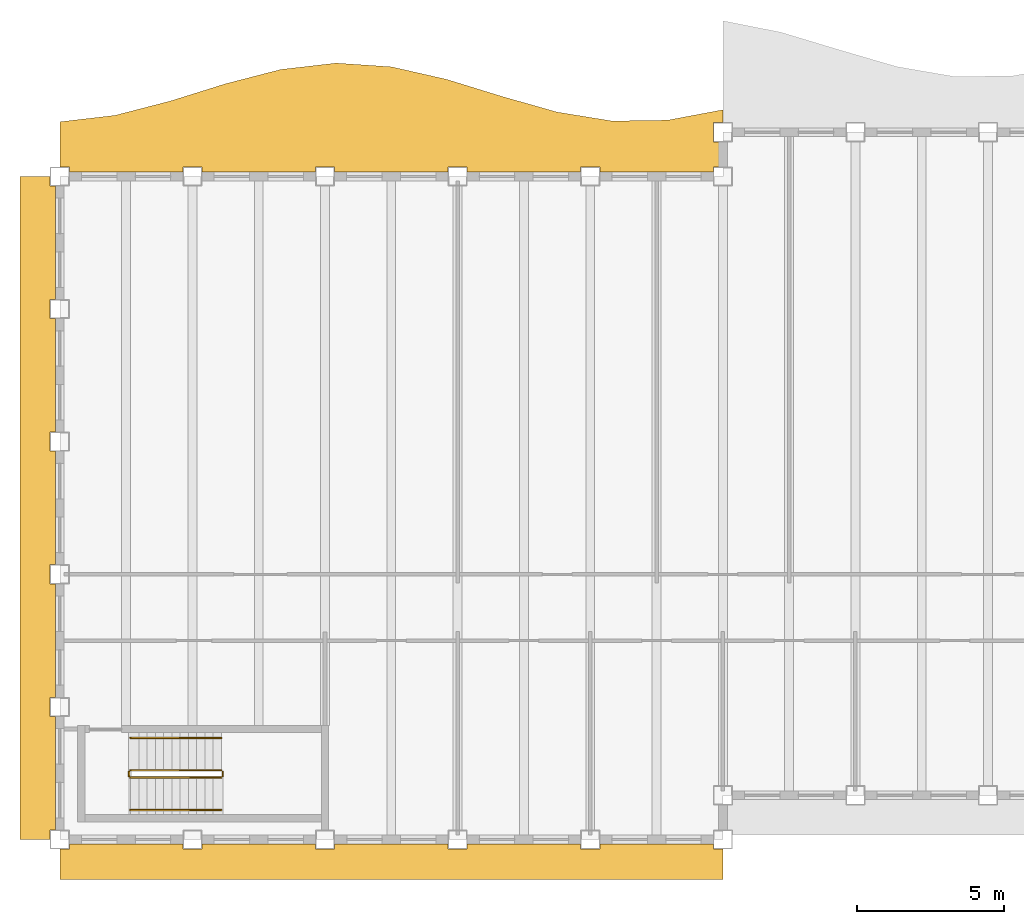
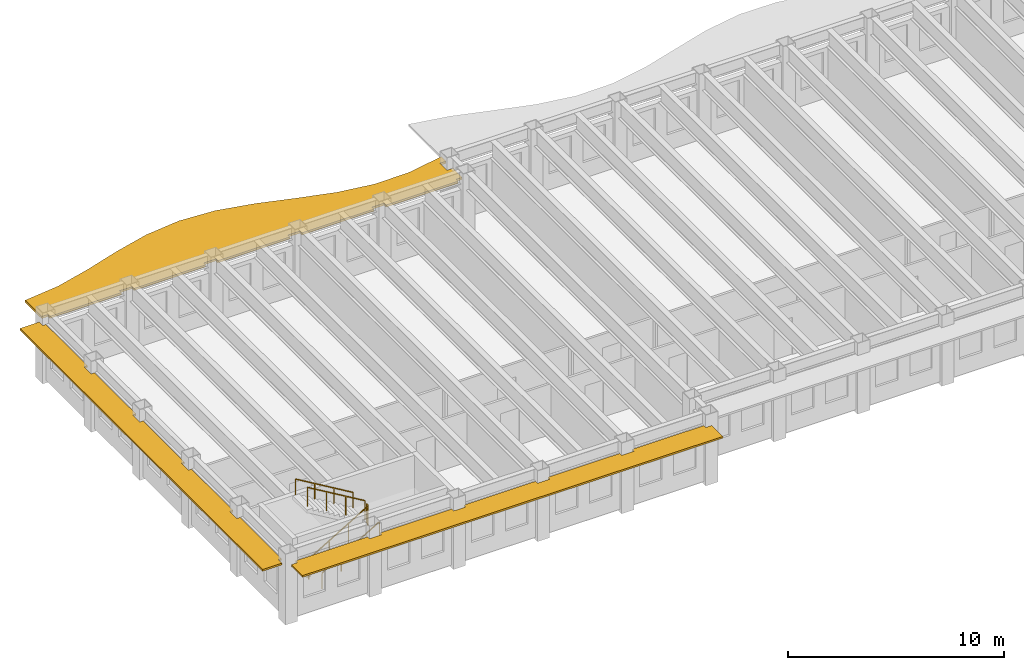
# One storey, part 8 of 12: 6 railings, 3 shading devices.
"""IFC4 building model written with IfcOpenShell, lengths in metres."""

from ifc_helpers import new_model, si_unit, direction, frame, origin, origin_2d, place, context, subcontext, project, spatial, polyline, rectangle, outline, extrude, material, layer, layer_set, type_object, element, save


model = new_model("IFC4")

# Units and contexts
model_context = context("Model", 3, precision=1e-05, world=origin(), true_north=direction((0.0, 1.0)))
body_context = subcontext(model_context, "Body", "Model", "MODEL_VIEW")
ifc_project = project(units=[si_unit("LENGTHUNIT", "METRE"), si_unit("AREAUNIT", "SQUARE_METRE"), si_unit("VOLUMEUNIT", "CUBIC_METRE"), si_unit("PLANEANGLEUNIT", "RADIAN"), si_unit("MASSUNIT", "GRAM", prefix="KILO")], contexts=[model_context])

# Site, building, storey
site_placement = place(None, origin())
site = spatial("IfcSite", under=ifc_project, at=site_placement, CompositionType="ELEMENT")
building_placement = place(site_placement, origin())
building = spatial("IfcBuilding", under=site, at=building_placement, Name="Sennacour Bend Tower", CompositionType="ELEMENT")
storey_placement = place(building_placement, frame((0.0, 0.0, 273.0)))
storey = spatial("IfcBuildingStorey", under=building, at=storey_placement, Name="L63", CompositionType="ELEMENT", Elevation=273.0)

# Railings
ifc_material_1 = material(Name="Stainless steel", Category="steel")
railing_type_1 = type_object("IfcRailingType", Name="RL-GUARD-1100", PredefinedType="GUARDRAIL", material=ifc_material_1)
railing_1_placement = place(storey_placement, frame((2.39990234375, 2.10009765625, 0.166748046875)))
element("IfcRailing", 1, at=railing_1_placement, inside=storey, type_object=railing_type_1, Name="L63 SK1 stair guard 1", PredefinedType="GUARDRAIL", context=body_context, shape_type="SweptSolid", body=[
    extrude(rectangle(XDim=0.048095703125, YDim=0.048095703125, at=origin_2d()), frame((0.0, 0.0, 1.076171875), z_axis=(0.859308565015, 0.0, 0.511457515432), x_axis=(0.0, 1.0, 0.0)), (0.0, 0.0, 1.0), 3.58447265625),
    extrude(rectangle(XDim=0.0419921875, YDim=0.0419921875, at=origin_2d()), origin(), (0.0, 0.0, 1.0), 1.052001953125),
    extrude(rectangle(XDim=0.0419921875, YDim=0.0419921875, at=origin_2d()), frame((1.026611328125, 0.0, 0.611083984375)), (0.0, 0.0, 1.0), 1.052001953125),
    extrude(rectangle(XDim=0.0419921875, YDim=0.0419921875, at=origin_2d()), frame((2.053466796875, 0.0, 1.22216796875)), (0.0, 0.0, 1.0), 1.052001953125),
    extrude(rectangle(XDim=0.0419921875, YDim=0.0419921875, at=origin_2d()), frame((3.080078125, 0.0, 1.833251953125)), (0.0, 0.0, 1.0), 1.052001953125),
])
railing_2_placement = place(storey_placement, frame((5.530029296875, 2.14990234375, 2.0)))
element("IfcRailing", 2, at=railing_2_placement, inside=storey, type_object=railing_type_1, Name="L63 SK1 stair guard 2", PredefinedType="GUARDRAIL", context=body_context, shape_type="SweptSolid", body=[
    extrude(rectangle(XDim=0.048095703125, YDim=0.048095703125, at=origin_2d()), frame((0.0, 0.0, 1.076171875), z_axis=(0.0, 1.0, 0.0), x_axis=(-1.0, 0.0, 0.0)), (0.0, 0.0, 1.0), 0.150146484375),
    extrude(rectangle(XDim=0.0419921875, YDim=0.0419921875, at=origin_2d()), origin(), (0.0, 0.0, 1.0), 1.052001953125),
    extrude(rectangle(XDim=0.0419921875, YDim=0.0419921875, at=origin_2d()), frame((0.0, 0.150146484375, 0.0)), (0.0, 0.0, 1.0), 1.052001953125),
])
railing_3_placement = place(storey_placement, frame((5.47998046875, 2.35009765625, 2.166748046875)))
element("IfcRailing", 3, at=railing_3_placement, inside=storey, type_object=railing_type_1, Name="L63 SK1 stair guard 3", PredefinedType="GUARDRAIL", context=body_context, shape_type="SweptSolid", body=[
    extrude(rectangle(XDim=0.048095703125, YDim=0.048095703125, at=origin_2d()), frame((0.0, 0.0, 1.076171875), z_axis=(-0.859308565015, 0.0, 0.511457515432), x_axis=(0.0, -1.0, 0.0)), (0.0, 0.0, 1.0), 3.58447265625),
    extrude(rectangle(XDim=0.0419921875, YDim=0.0419921875, at=origin_2d()), origin(), (0.0, 0.0, 1.0), 1.052001953125),
    extrude(rectangle(XDim=0.0419921875, YDim=0.0419921875, at=origin_2d()), frame((-1.026611328125, 0.0, 0.611083984375)), (0.0, 0.0, 1.0), 1.052001953125),
    extrude(rectangle(XDim=0.0419921875, YDim=0.0419921875, at=origin_2d()), frame((-2.053466796875, 0.0, 1.22216796875)), (0.0, 0.0, 1.0), 1.052001953125),
    extrude(rectangle(XDim=0.0419921875, YDim=0.0419921875, at=origin_2d()), frame((-3.080078125, 0.0, 1.833251953125)), (0.0, 0.0, 1.0), 1.052001953125),
])
railing_4_placement = place(storey_placement, frame((2.35009765625, 2.14990234375, 0.0)))
element("IfcRailing", 4, at=railing_4_placement, inside=storey, type_object=railing_type_1, Name="L63 SK1 stair guard 4", PredefinedType="GUARDRAIL", context=body_context, shape_type="SweptSolid", body=[
    extrude(rectangle(XDim=0.048095703125, YDim=0.048095703125, at=origin_2d()), frame((0.0, 0.0, 1.076171875), z_axis=(0.0, 1.0, 0.0), x_axis=(-1.0, 0.0, 0.0)), (0.0, 0.0, 1.0), 0.150146484375),
    extrude(rectangle(XDim=0.0419921875, YDim=0.0419921875, at=origin_2d()), origin(), (0.0, 0.0, 1.0), 1.052001953125),
    extrude(rectangle(XDim=0.0419921875, YDim=0.0419921875, at=origin_2d()), frame((0.0, 0.150146484375, 0.0)), (0.0, 0.0, 1.0), 1.052001953125),
])
railing_type_2 = type_object("IfcRailingType", Name="RL-HANDRAIL-900", PredefinedType="HANDRAIL", material=ifc_material_1)
railing_5_placement = place(storey_placement, frame((2.39990234375, 1.0, 0.166748046875)))
element("IfcRailing", 5, at=railing_5_placement, inside=storey, type_object=railing_type_2, Name="L63 SK1 stair handrail 1", PredefinedType="HANDRAIL", context=body_context, shape_type="SweptSolid", body=[
    extrude(rectangle(XDim=0.048095703125, YDim=0.048095703125, at=origin_2d()), frame((0.0, 0.0, 0.8759765625), z_axis=(0.859308565015, 0.0, 0.511457515432), x_axis=(0.0, 1.0, 0.0)), (0.0, 0.0, 1.0), 3.58447265625),
    extrude(rectangle(XDim=0.0419921875, YDim=0.0419921875, at=origin_2d()), origin(), (0.0, 0.0, 1.0), 0.851806640625),
    extrude(rectangle(XDim=0.0419921875, YDim=0.0419921875, at=origin_2d()), frame((1.026611328125, 0.0, 0.611083984375)), (0.0, 0.0, 1.0), 0.851806640625),
    extrude(rectangle(XDim=0.0419921875, YDim=0.0419921875, at=origin_2d()), frame((2.053466796875, 0.0, 1.22216796875)), (0.0, 0.0, 1.0), 0.851806640625),
    extrude(rectangle(XDim=0.0419921875, YDim=0.0419921875, at=origin_2d()), frame((3.080078125, 0.0, 1.833251953125)), (0.0, 0.0, 1.0), 0.851806640625),
])
railing_6_placement = place(storey_placement, frame((5.47998046875, 3.449951171875, 2.166748046875)))
element("IfcRailing", 6, at=railing_6_placement, inside=storey, type_object=railing_type_2, Name="L63 SK1 stair handrail 2", PredefinedType="HANDRAIL", context=body_context, shape_type="SweptSolid", body=[
    extrude(rectangle(XDim=0.048095703125, YDim=0.048095703125, at=origin_2d()), frame((0.0, 0.0, 0.8759765625), z_axis=(-0.859308565015, 0.0, 0.511457515432), x_axis=(0.0, -1.0, 0.0)), (0.0, 0.0, 1.0), 3.58447265625),
    extrude(rectangle(XDim=0.0419921875, YDim=0.0419921875, at=origin_2d()), origin(), (0.0, 0.0, 1.0), 0.851806640625),
    extrude(rectangle(XDim=0.0419921875, YDim=0.0419921875, at=origin_2d()), frame((-1.026611328125, 0.0, 0.611083984375)), (0.0, 0.0, 1.0), 0.851806640625),
    extrude(rectangle(XDim=0.0419921875, YDim=0.0419921875, at=origin_2d()), frame((-2.053466796875, 0.0, 1.22216796875)), (0.0, 0.0, 1.0), 0.851806640625),
    extrude(rectangle(XDim=0.0419921875, YDim=0.0419921875, at=origin_2d()), frame((-3.080078125, 0.0, 1.833251953125)), (0.0, 0.0, 1.0), 0.851806640625),
])

# Shading devices
ifc_material_2 = material(Name="Bronze anodised aluminium", Category="aluminium")
ifc_layer_1 = layer(ifc_material_2, 0.10009765625, Name="Bronze anodised aluminium", Category="aluminium")
ifc_layer_set_1 = layer_set([ifc_layer_1], Name="Bronze anodised aluminium")
shading_device_type_1 = type_object("IfcShadingDeviceType", Name="SUNSHADE BAND STRAIGHT", PredefinedType="USERDEFINED", material=ifc_layer_set_1)
shading_device_1_placement = place(storey_placement, frame((0.0, 0.0, 3.06201171875)))
element("IfcShadingDevice", 7, at=shading_device_1_placement, inside=storey, type_object=shading_device_type_1, Name="Sunshade band L63 K outer face", ObjectType="SUNSHADE", PredefinedType="USERDEFINED", context=body_context, shape_type="SweptSolid", body=[
    extrude(outline(polyline([(-0.14990234375, 18.324951171875), (-0.324951171875, 18.324951171875), (-0.324951171875, 17.675048828125), (-0.14990234375, 17.675048828125), (-0.14990234375, 13.824951171875), (-0.324951171875, 13.824951171875), (-0.324951171875, 13.175048828125), (-0.14990234375, 13.175048828125), (-0.14990234375, 9.324951171875), (-0.324951171875, 9.324951171875), (-0.324951171875, 8.675048828125), (-0.14990234375, 8.675048828125), (-0.14990234375, 4.824951171875), (-0.324951171875, 4.824951171875), (-0.324951171875, 4.175048828125), (-0.14990234375, 4.175048828125), (-0.14990234375, 0.324951171875), (-0.324951171875, 0.324951171875), (-0.324951171875, 0.0), (-1.35009765625, 0.0), (-1.35009765625, 22.5), (-0.324951171875, 22.5), (-0.324951171875, 22.175048828125), (-0.14990234375, 22.175048828125), (-0.14990234375, 18.324951171875)])), origin(), (0.0, 0.0, 1.0), 0.10009765625),
])
shading_device_2_placement = place(storey_placement, frame((0.0, 0.0, 3.06201171875)))
element("IfcShadingDevice", 8, at=shading_device_2_placement, inside=storey, type_object=shading_device_type_1, Name="Sunshade band L63 K outer face", ObjectType="SUNSHADE", PredefinedType="USERDEFINED", context=body_context, shape_type="SweptSolid", body=[
    extrude(outline(polyline([(4.175048828125, -0.14990234375), (4.175048828125, -0.324951171875), (4.824951171875, -0.324951171875), (4.824951171875, -0.14990234375), (8.675048828125, -0.14990234375), (8.675048828125, -0.324951171875), (9.324951171875, -0.324951171875), (9.324951171875, -0.14990234375), (13.175048828125, -0.14990234375), (13.175048828125, -0.324951171875), (13.824951171875, -0.324951171875), (13.824951171875, -0.14990234375), (17.675048828125, -0.14990234375), (17.675048828125, -0.324951171875), (18.324951171875, -0.324951171875), (18.324951171875, -0.14990234375), (22.175048828125, -0.14990234375), (22.175048828125, -0.324951171875), (22.5, -0.324951171875), (22.5, -1.35009765625), (0.0, -1.35009765625), (0.0, -0.324951171875), (0.324951171875, -0.324951171875), (0.324951171875, -0.14990234375), (4.175048828125, -0.14990234375)])), origin(), (0.0, 0.0, 1.0), 0.10009765625),
])
ifc_layer_2 = layer(ifc_material_2, 0.1201171875, Name="Bronze anodised aluminium", Category="aluminium")
ifc_layer_set_2 = layer_set([ifc_layer_2], Name="Bronze anodised aluminium")
shading_device_type_2 = type_object("IfcShadingDeviceType", Name="SUNSHADE BAND WAVE", PredefinedType="USERDEFINED", material=ifc_layer_set_2)
shading_device_3_placement = place(storey_placement, frame((0.0, 0.0, 3.0419921875)))
element("IfcShadingDevice", 9, at=shading_device_3_placement, inside=storey, type_object=shading_device_type_2, Name="Sunshade band L63 concave faces", ObjectType="SUNSHADE", PredefinedType="USERDEFINED", context=body_context, shape_type="SweptSolid", body=[
    extrude(outline(polyline([(22.175048828125, 22.64990234375), (18.324951171875, 22.64990234375), (18.324951171875, 22.824951171875), (17.675048828125, 22.824951171875), (17.675048828125, 22.64990234375), (13.824951171875, 22.64990234375), (13.824951171875, 22.824951171875), (13.175048828125, 22.824951171875), (13.175048828125, 22.64990234375), (9.324951171875, 22.64990234375), (9.324951171875, 22.824951171875), (8.675048828125, 22.824951171875), (8.675048828125, 22.64990234375), (4.824951171875, 22.64990234375), (4.824951171875, 22.824951171875), (4.175048828125, 22.824951171875), (4.175048828125, 22.64990234375), (0.324951171875, 22.64990234375), (0.324951171875, 22.824951171875), (0.0, 22.824951171875), (0.0, 24.353759765625), (1.875, 24.572998046875), (3.75, 25.05908203125), (5.625, 25.6455078125), (7.5, 26.130126953125), (9.375, 26.3466796875), (11.25, 26.220703125), (13.125, 25.79541015625), (15.0, 25.217041015625), (16.875, 24.684326171875), (18.75, 24.380615234375), (20.625, 24.409912109375), (22.5, 24.76220703125), (22.5, 24.324951171875), (22.175048828125, 24.324951171875), (22.175048828125, 23.675048828125), (22.5, 23.675048828125), (22.5, 22.824951171875), (22.175048828125, 22.824951171875), (22.175048828125, 22.64990234375)])), origin(), (0.0, 0.0, 1.0), 0.1201171875),
])

save(model, "model.ifc")
